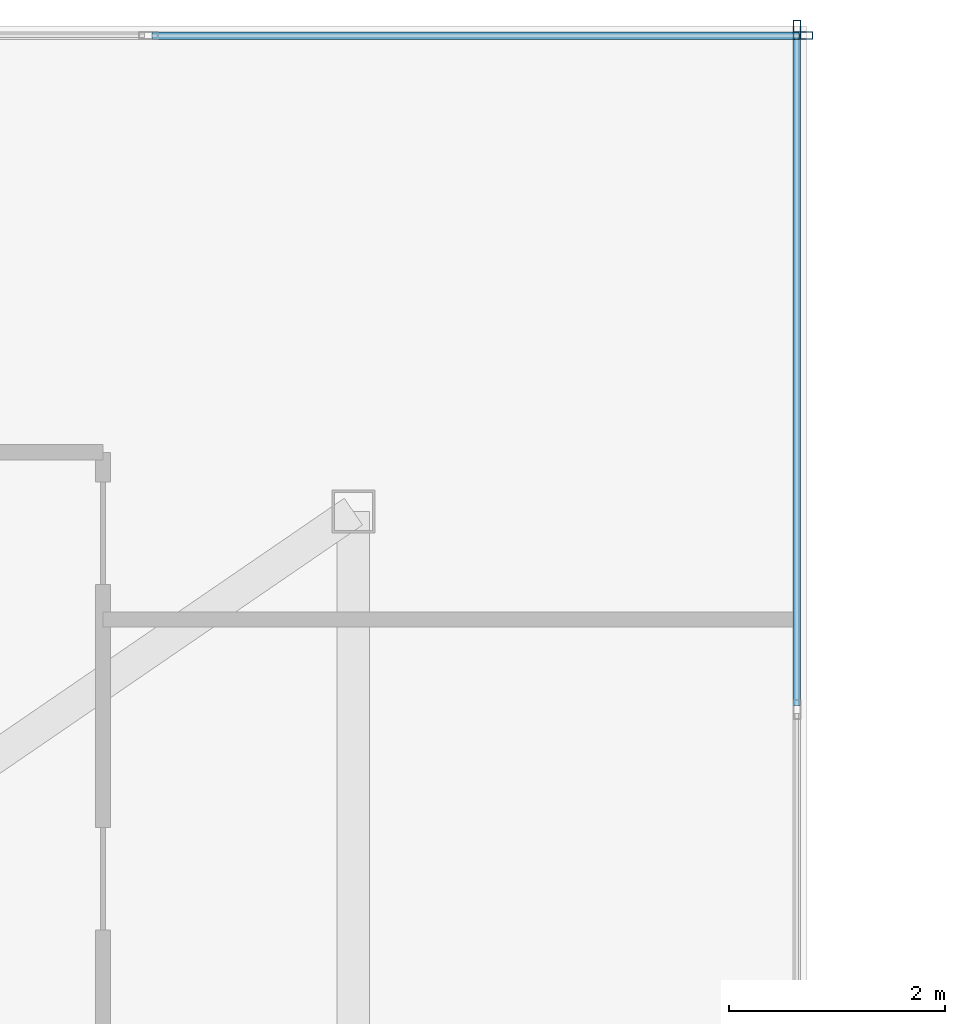
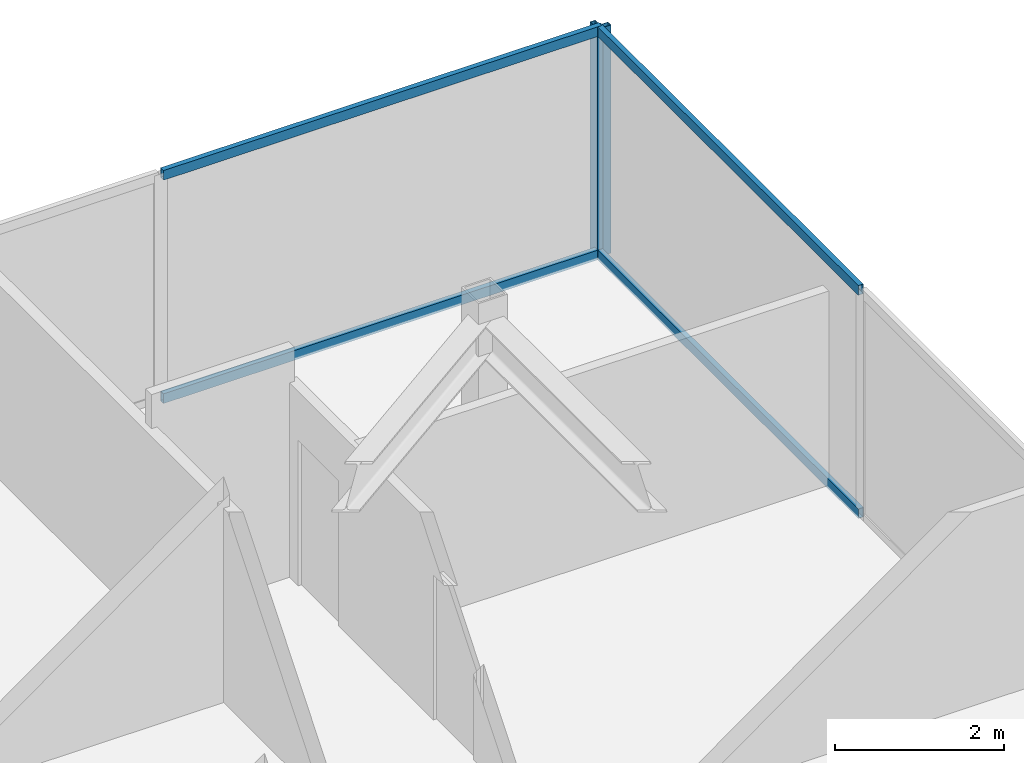
# One storey, part 13 of 16: 6 members, 2 elements without a shape of their own.
"""IFC4 building model written with IfcOpenShell, lengths in metres."""

from ifc_helpers import new_model, si_unit, direction, frame, origin, origin_2d, place, context, subcontext, project, spatial, hollow_rectangle, extrude, source, transform, mapped, material, material_profile, profile_set, type_object, type_shapes, element, aggregate, save


model = new_model("IFC4")

# Units and contexts
model_context = context("Model", 3, precision=1e-05, world=origin(), true_north=direction((0.0, 1.0)))
body_context = subcontext(model_context, "Body", "Model", "MODEL_VIEW")
ifc_project = project(units=[si_unit("LENGTHUNIT", "METRE"), si_unit("AREAUNIT", "SQUARE_METRE"), si_unit("VOLUMEUNIT", "CUBIC_METRE"), si_unit("PLANEANGLEUNIT", "RADIAN"), si_unit("MASSUNIT", "GRAM", prefix="KILO")], contexts=[model_context])

# Site, building, storey
site_placement = place(None, origin())
site = spatial("IfcSite", under=ifc_project, at=site_placement, CompositionType="ELEMENT")
building_placement = place(site_placement, origin())
building = spatial("IfcBuilding", under=site, at=building_placement, Name="Krantzveldt Concourse Tower", CompositionType="ELEMENT")
storey_placement = place(building_placement, frame((0.0, 0.0, 381.85009765625)))
storey = spatial("IfcBuildingStorey", under=building, at=storey_placement, Name="L94", CompositionType="ELEMENT", Elevation=381.85009765625)

# Curtain wall, members
ifc_material = material(Name="Anodised aluminium 6063-T6", Category="aluminium")
curtain_wall_type = type_object("IfcCurtainWallType", Name="CW7", PredefinedType="USERDEFINED", material=ifc_material)
curtain_wall_1_placement = place(storey_placement, origin())
curtain_wall_1 = element("IfcCurtainWall", 1, at=curtain_wall_1_placement, inside=storey, type_object=curtain_wall_type, Name="CW-L94-WEST-02", ObjectType="UNITISED CURTAIN WALL", PredefinedType="USERDEFINED")
ifc_material_profile_1 = material_profile(ifc_material, hollow_rectangle(XDim=0.070068359375, YDim=0.139892578125, WallThickness=0.0048828125, at=origin_2d()), Name="Anodised aluminium 6063-T6", Category="aluminium")
ifc_profile_set_1 = profile_set([ifc_material_profile_1], Name="Anodised aluminium 6063-T6 - ALU-TRAN 140x70x5")
member_type_1 = type_object("IfcMemberType", Name="CW-TRN-150", PredefinedType="USERDEFINED", material=ifc_profile_set_1)
shared_shape_1 = source(origin(), body_context, "Body", "SweptSolid", [
    extrude(hollow_rectangle(XDim=0.070068359375, YDim=0.139892578125, WallThickness=0.0048828125, at=origin_2d()), origin(), (0.0, 0.0, 1.0), 5.994873046875),
])
member_1_placement = place(storey_placement, frame((34.72998046875, 45.610107421875, 0.034912109375), z_axis=(-1.0, 0.0, 0.0), x_axis=(0.0, -1.0, 0.0)))
member_1 = element("IfcMember", 2, at=member_1_placement, type_object=member_type_1, Name="CW-CRN transom 1.1", ObjectType="TRANSOM", PredefinedType="USERDEFINED", context=body_context, shape_type="MappedRepresentation", body=[
    mapped(shared_shape_1, transform((0.0, 0.0, 0.0), x_axis=(1.0, 0.0, 0.0), y_axis=(0.0, 1.0, 0.0), z_axis=(0.0, 0.0, 1.0), scale=1.0)),
])
member_2_placement = place(storey_placement, frame((34.72998046875, 45.610107421875, 3.264892578125), z_axis=(-1.0, 0.0, 0.0), x_axis=(0.0, -1.0, 0.0)))
member_2 = element("IfcMember", 3, at=member_2_placement, type_object=member_type_1, Name="CW-CRN transom 1.2", ObjectType="TRANSOM", PredefinedType="USERDEFINED", context=body_context, shape_type="MappedRepresentation", body=[
    mapped(shared_shape_1, transform((0.0, 0.0, 0.0), x_axis=(1.0, 0.0, 0.0), y_axis=(0.0, 1.0, 0.0), z_axis=(0.0, 0.0, 1.0), scale=1.0)),
])

curtain_wall_2_placement = place(storey_placement, origin())
curtain_wall_2 = element("IfcCurtainWall", 4, at=curtain_wall_2_placement, inside=storey, type_object=curtain_wall_type, Name="CW-L94-WEST-01", ObjectType="UNITISED CURTAIN WALL", PredefinedType="USERDEFINED")
shared_shape_2 = source(origin(), body_context, "Body", "SweptSolid", [
    extrude(hollow_rectangle(XDim=0.070068359375, YDim=0.139892578125, WallThickness=0.0048828125, at=origin_2d()), origin(), (0.0, 0.0, 1.0), 6.228271484375),
])
type_shapes(member_type_1, [shared_shape_1, shared_shape_2])
member_3_placement = place(storey_placement, frame((34.7099609375, 39.401611328125, 0.034912109375), z_axis=(0.0, 1.0, 0.0), x_axis=(-1.0, 0.0, 0.0)))
member_3 = element("IfcMember", 5, at=member_3_placement, type_object=member_type_1, Name="CW-CRN transom 6.1", ObjectType="TRANSOM", PredefinedType="USERDEFINED", context=body_context, shape_type="MappedRepresentation", body=[
    mapped(shared_shape_2, transform((0.0, 0.0, 0.0), x_axis=(1.0, 0.0, 0.0), y_axis=(0.0, 1.0, 0.0), z_axis=(0.0, 0.0, 1.0), scale=1.0)),
])
member_4_placement = place(storey_placement, frame((34.7099609375, 39.401611328125, 3.264892578125), z_axis=(0.0, 1.0, 0.0), x_axis=(-1.0, 0.0, 0.0)))
member_4 = element("IfcMember", 6, at=member_4_placement, type_object=member_type_1, Name="CW-CRN transom 6.2", ObjectType="TRANSOM", PredefinedType="USERDEFINED", context=body_context, shape_type="MappedRepresentation", body=[
    mapped(shared_shape_2, transform((0.0, 0.0, 0.0), x_axis=(1.0, 0.0, 0.0), y_axis=(0.0, 1.0, 0.0), z_axis=(0.0, 0.0, 1.0), scale=1.0)),
])
ifc_material_profile_2 = material_profile(ifc_material, hollow_rectangle(XDim=0.070068359375, YDim=0.179931640625, WallThickness=0.0048828125, at=origin_2d()), Name="Anodised aluminium 6063-T6", Category="aluminium")
ifc_profile_set_2 = profile_set([ifc_material_profile_2], Name="Anodised aluminium 6063-T6 - ALU-MULL 180x70x5")
member_type_2 = type_object("IfcMemberType", Name="CW-MUL-180", PredefinedType="MULLION", material=ifc_profile_set_2)
shared_shape_3 = source(origin(), body_context, "Body", "SweptSolid", [
    extrude(hollow_rectangle(XDim=0.070068359375, YDim=0.179931640625, WallThickness=0.0048828125, at=origin_2d()), origin(), (0.0, 0.0, 1.0), 3.2998046875),
])
type_shapes(member_type_2, [shared_shape_3])
member_5_placement = place(storey_placement, frame((34.7099609375, 45.6650390625, 0.0), z_axis=(0.0, 0.0, 1.0), x_axis=(-1.0, 0.0, 0.0)))
member_5 = element("IfcMember", 7, at=member_5_placement, type_object=member_type_2, Name="CW-CRN mullion 7", PredefinedType="MULLION", context=body_context, shape_type="MappedRepresentation", body=[
    mapped(shared_shape_3, transform((0.0, 0.0, 0.0), x_axis=(1.0, 0.0, 0.0), y_axis=(0.0, 1.0, 0.0), z_axis=(0.0, 0.0, 1.0), scale=1.0)),
])
aggregate(curtain_wall_2, [member_5, member_3, member_4])

# Member
member_6_placement = place(storey_placement, frame((34.764892578125, 45.610107421875, 0.0), z_axis=(0.0, 0.0, 1.0), x_axis=(0.0, -1.0, 0.0)))
member_6 = element("IfcMember", 8, at=member_6_placement, type_object=member_type_2, Name="CW-CRN mullion 1", PredefinedType="MULLION", context=body_context, shape_type="MappedRepresentation", body=[
    mapped(shared_shape_3, transform((0.0, 0.0, 0.0), x_axis=(1.0, 0.0, 0.0), y_axis=(0.0, 1.0, 0.0), z_axis=(0.0, 0.0, 1.0), scale=1.0)),
])

aggregate(curtain_wall_1, [member_6, member_1, member_2])

save(model, "model.ifc")
